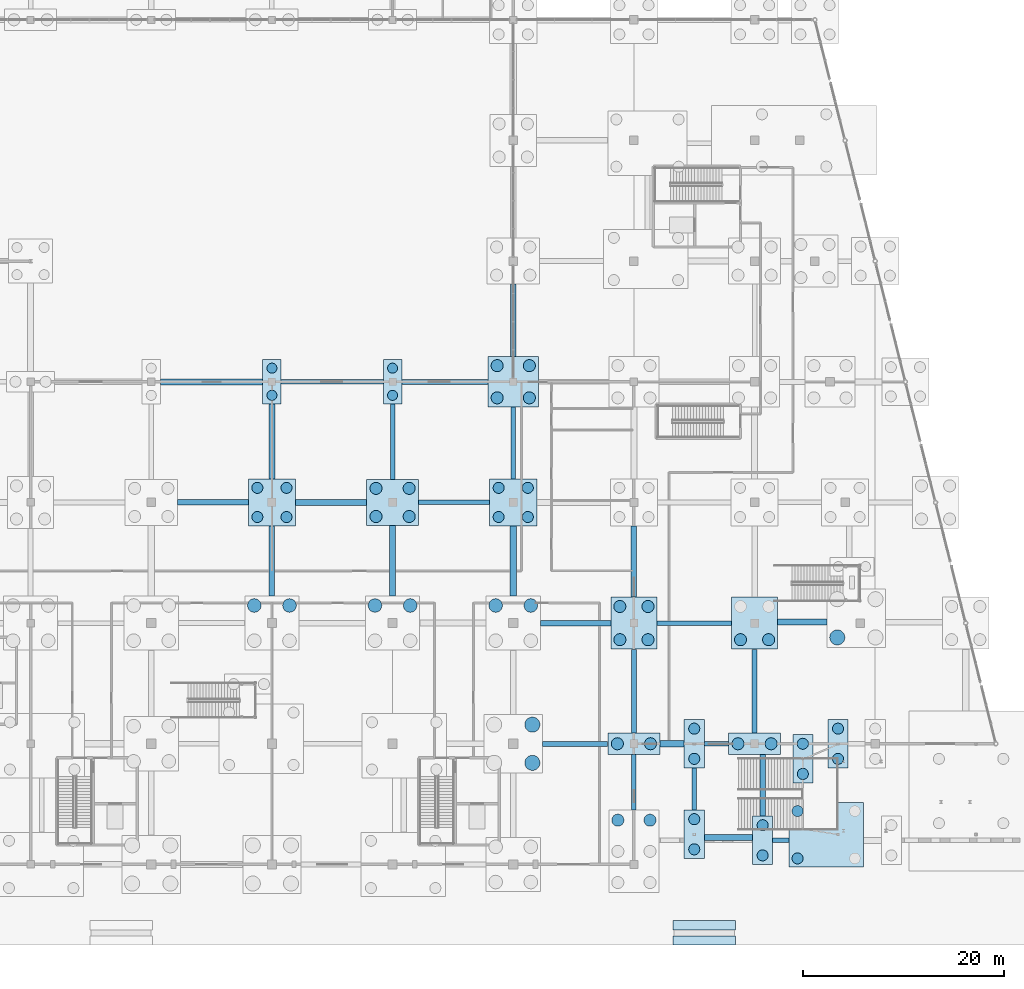
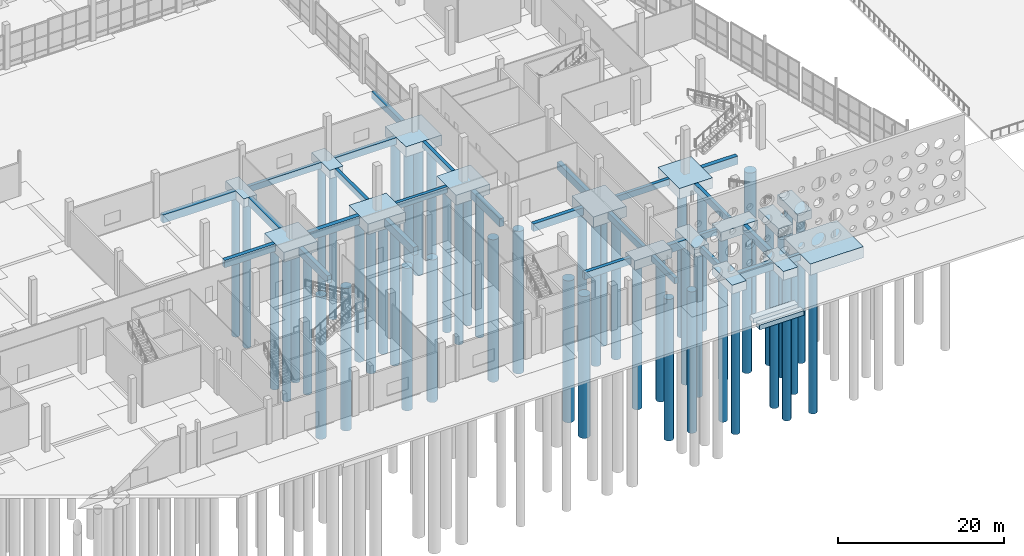
# One storey, part 8 of 117: 53 piles, 45 footings.
"""IFC4 building model written with IfcOpenShell, lengths in metres."""

from ifc_helpers import new_model, si_unit, direction, frame, origin, origin_2d, place, context, subcontext, project, spatial, rectangle, circle, extrude, material, material_profile, profile_set, type_object, element, save


model = new_model("IFC4")

# Units and contexts
model_context = context("Model", 3, precision=1e-05, world=origin(), true_north=direction((0.0, 1.0)))
body_context = subcontext(model_context, "Body", "Model", "MODEL_VIEW")
ifc_project = project(units=[si_unit("LENGTHUNIT", "METRE"), si_unit("AREAUNIT", "SQUARE_METRE"), si_unit("VOLUMEUNIT", "CUBIC_METRE"), si_unit("PLANEANGLEUNIT", "RADIAN"), si_unit("MASSUNIT", "GRAM", prefix="KILO")], contexts=[model_context])

# Site, building, storey
site_placement = place(None, origin())
site = spatial("IfcSite", under=ifc_project, at=site_placement, CompositionType="ELEMENT")
building_placement = place(site_placement, origin())
building = spatial("IfcBuilding", under=site, at=building_placement, Name="Kamomehara Wholesale Market", CompositionType="ELEMENT")
storey_placement = place(building_placement, origin())
storey = spatial("IfcBuildingStorey", under=building, at=storey_placement, Name="L00", CompositionType="ELEMENT", Elevation=0.0)

# Footings
ifc_material_1 = material(Name="Concrete Fc30 (C30/37)", Category="concrete")
footing_type_1 = type_object("IfcFootingType", Name="CAP-2PX-5200", PredefinedType="PILE_CAP", material=ifc_material_1)
for number, where, z_axis, x_axis, name in (
    (1, (168.0, 24.0, -1.35009765625), (0.0, 0.0, 1.0), (1.0, 0.0, 0.0), "Pile cap PC-08"),
    (2, (180.0, 24.0, -1.35009765625), (0.0, 0.0, 1.0), (1.0, 0.0, 0.0), "Pile cap PC-08"),
):
    element("IfcFooting", number, at=place(storey_placement, frame(where, z_axis=z_axis, x_axis=x_axis)), inside=storey, type_object=footing_type_1, Name=name, PredefinedType="PILE_CAP", context=body_context, shape_type="SweptSolid", body=[
        extrude(rectangle(XDim=5.199951171875, YDim=2.14990234375, at=origin_2d()), origin(), (0.0, 0.0, 1.0), 1.35009765625),
    ])
ifc_material_2 = material(Name="Concrete Fc30 (C30/37)", Category="concrete")
footing_type_2 = type_object("IfcFootingType", Name="CAP-2PY-4400", PredefinedType="PILE_CAP", material=ifc_material_2)
for number, where, z_axis, x_axis, name in (
    (3, (132.0, 60.0, -1.25), (0.0, 0.0, 1.0), (1.0, 0.0, 0.0), "Pile cap PC-05"),
    (4, (144.0, 60.0, -1.25), (0.0, 0.0, 1.0), (1.0, 0.0, 0.0), "Pile cap PC-05"),
):
    element("IfcFooting", number, at=place(storey_placement, frame(where, z_axis=z_axis, x_axis=x_axis)), inside=storey, type_object=footing_type_2, Name=name, PredefinedType="PILE_CAP", context=body_context, shape_type="SweptSolid", body=[
        extrude(rectangle(XDim=1.85009765625, YDim=4.39990234375, at=origin_2d()), origin(), (0.0, 0.0, 1.0), 1.25),
    ])
ifc_material_3 = material(Name="Concrete Fc30 (C30/37)", Category="concrete")
footing_type_3 = type_object("IfcFootingType", Name="CAP-2PY-4800", PredefinedType="PILE_CAP", material=ifc_material_3)
for number, where, z_axis, x_axis, name in (
    (5, (174.0, 15.0, -1.2998046875), (0.0, 0.0, 1.0), (1.0, 0.0, 0.0), "Pile cap PC-07"),
    (6, (174.0, 24.0, -1.2998046875), (0.0, 0.0, 1.0), (1.0, 0.0, 0.0), "Pile cap PC-07"),
    (7, (184.800048828125, 22.5, -1.2998046875), (0.0, 0.0, 1.0), (1.0, 0.0, 0.0), "Pile cap PC-07"),
    (8, (188.300048828125, 24.0, -1.2998046875), (0.0, 0.0, 1.0), (1.0, 0.0, 0.0), "Pile cap PC-07"),
    (9, (180.800048828125, 14.39990234375, -1.2998046875), (0.0, 0.0, 1.0), (1.0, 0.0, 0.0), "Pile cap PC-07"),
):
    element("IfcFooting", number, at=place(storey_placement, frame(where, z_axis=z_axis, x_axis=x_axis)), inside=storey, type_object=footing_type_3, Name=name, PredefinedType="PILE_CAP", context=body_context, shape_type="SweptSolid", body=[
        extrude(rectangle(XDim=2.0, YDim=4.800048828125, at=origin_2d()), origin(), (0.0, 0.0, 1.0), 1.300048828125),
    ])
ifc_material_4 = material(Name="Concrete Fc30 (C30/37)", Category="concrete")
footing_type_4 = type_object("IfcFootingType", Name="CAP-4P-4700", PredefinedType="PILE_CAP", material=ifc_material_4)
for number, where, z_axis, x_axis, name in (
    (10, (132.0, 48.0, -1.4501953125), (0.0, 0.0, 1.0), (1.0, 0.0, 0.0), "Pile cap PC-11"),
    (11, (156.0, 48.0, -1.4501953125), (0.0, 0.0, 1.0), (1.0, 0.0, 0.0), "Pile cap PC-11"),
):
    element("IfcFooting", number, at=place(storey_placement, frame(where, z_axis=z_axis, x_axis=x_axis)), inside=storey, type_object=footing_type_4, Name=name, PredefinedType="PILE_CAP", context=body_context, shape_type="SweptSolid", body=[
        extrude(rectangle(XDim=4.699951171875, YDim=4.699951171875, at=origin_2d()), origin(), (0.0, 0.0, 1.0), 1.449951171875),
    ])
ifc_material_5 = material(Name="Concrete Fc30 (C30/37)", Category="concrete")
footing_type_5 = type_object("IfcFootingType", Name="CAP-4P-5000", PredefinedType="PILE_CAP", material=ifc_material_5)
footing_1_placement = place(storey_placement, frame((156.0, 60.0, -1.5), z_axis=(0.0, 0.0, 1.0), x_axis=(1.0, 0.0, 0.0)))
element("IfcFooting", 12, at=footing_1_placement, inside=storey, type_object=footing_type_5, Name="Pile cap PC-12", PredefinedType="PILE_CAP", context=body_context, shape_type="SweptSolid", body=[
    extrude(rectangle(XDim=5.0, YDim=5.0, at=origin_2d()), origin(), (0.0, 0.0, 1.0), 1.5),
])
ifc_material_6 = material(Name="Concrete Fc30 (C30/37)", Category="concrete")
footing_type_6 = type_object("IfcFootingType", Name="CAP-4PR-4600", PredefinedType="PILE_CAP", material=ifc_material_6)
for number, where, z_axis, x_axis, name in (
    (13, (168.0, 36.0, -1.5498046875), (0.0, 0.0, 1.0), (1.0, 0.0, 0.0), "Pile cap PC-16"),
    (14, (180.0, 36.0, -1.5498046875), (0.0, 0.0, 1.0), (1.0, 0.0, 0.0), "Pile cap PC-16"),
):
    element("IfcFooting", number, at=place(storey_placement, frame(where, z_axis=z_axis, x_axis=x_axis)), inside=storey, type_object=footing_type_6, Name=name, PredefinedType="PILE_CAP", context=body_context, shape_type="SweptSolid", body=[
        extrude(rectangle(XDim=4.60009765625, YDim=5.199951171875, at=origin_2d()), origin(), (0.0, 0.0, 1.0), 1.550048828125),
    ])
ifc_material_7 = material(Name="Concrete Fc30 (C30/37)", Category="concrete")
footing_type_7 = type_object("IfcFootingType", Name="CAP-4PR-5200", PredefinedType="PILE_CAP", material=ifc_material_7)
footing_2_placement = place(storey_placement, frame((144.0, 48.0, -1.5498046875), z_axis=(0.0, 0.0, 1.0), x_axis=(1.0, 0.0, 0.0)))
element("IfcFooting", 15, at=footing_2_placement, inside=storey, type_object=footing_type_7, Name="Pile cap PC-15", PredefinedType="PILE_CAP", context=body_context, shape_type="SweptSolid", body=[
    extrude(rectangle(XDim=5.199951171875, YDim=4.60009765625, at=origin_2d()), origin(), (0.0, 0.0, 1.0), 1.550048828125),
])
ifc_material_8 = material(Name="Concrete Fc30 (C30/37)", Category="concrete")
footing_type_8 = type_object("IfcFootingType", Name="CAP-CMB-740x640", PredefinedType="PILE_CAP", material=ifc_material_8)
footing_3_placement = place(storey_placement, frame((187.125, 14.949951171875, -1.64990234375), z_axis=(0.0, 0.0, 1.0), x_axis=(1.0, 0.0, 0.0)))
element("IfcFooting", 16, at=footing_3_placement, inside=storey, type_object=footing_type_8, Name="Pile cap PCC-74x64", PredefinedType="PILE_CAP", context=body_context, shape_type="SweptSolid", body=[
    extrude(rectangle(XDim=7.39990234375, YDim=6.39990234375, at=origin_2d()), origin(), (0.0, 0.0, 1.0), 1.64990234375),
])
ifc_material_9 = material(Name="Concrete Fc30 (C30/37)", Category="concrete")
ifc_material_profile_1 = material_profile(ifc_material_9, rectangle(XDim=0.449951171875, YDim=0.89990234375, at=origin_2d()), Name="RC-FTB-450x900")
ifc_profile_set_1 = profile_set([ifc_material_profile_1], Name="Concrete Fc30 (C30/37)")
footing_type_9 = type_object("IfcFootingType", Name="FTB-450x900", PredefinedType="FOOTING_BEAM", material=ifc_profile_set_1)
footing_4_placement = place(storey_placement, frame((132.927001953125, 60.0, -0.449951171875), z_axis=(1.0, 0.0, 0.0), x_axis=(0.0, 1.0, 0.0)))
element("IfcFooting", 17, at=footing_4_placement, inside=storey, type_object=footing_type_9, Name="Foundation tie beam 135", PredefinedType="FOOTING_BEAM", context=body_context, shape_type="SweptSolid", body=[
    extrude(rectangle(XDim=0.449951171875, YDim=0.89990234375, at=origin_2d()), origin(), (0.0, 0.0, 1.0), 10.14599609375),
])
footing_5_placement = place(storey_placement, frame((146.60205078125, 48.0, -0.449951171875), z_axis=(1.0, 0.0, 0.0), x_axis=(0.0, 1.0, 0.0)))
element("IfcFooting", 18, at=footing_5_placement, inside=storey, type_object=footing_type_9, Name="Foundation tie beam 147", PredefinedType="FOOTING_BEAM", context=body_context, shape_type="SweptSolid", body=[
    extrude(rectangle(XDim=0.449951171875, YDim=0.89990234375, at=origin_2d()), origin(), (0.0, 0.0, 1.0), 7.0458984375),
])
footing_6_placement = place(storey_placement, frame((170.302001953125, 36.0, -0.449951171875), z_axis=(1.0, 0.0, 0.0), x_axis=(0.0, 1.0, 0.0)))
element("IfcFooting", 19, at=footing_6_placement, inside=storey, type_object=footing_type_9, Name="Foundation tie beam 171", PredefinedType="FOOTING_BEAM", context=body_context, shape_type="SweptSolid", body=[
    extrude(rectangle(XDim=0.449951171875, YDim=0.89990234375, at=origin_2d()), origin(), (0.0, 0.0, 1.0), 7.39599609375),
])
footing_7_placement = place(storey_placement, frame((175.001953125, 24.0, -0.449951171875), z_axis=(1.0, 0.0, 0.0), x_axis=(0.0, 1.0, 0.0)))
element("IfcFooting", 20, at=footing_7_placement, inside=storey, type_object=footing_type_9, Name="Foundation tie beam 183", PredefinedType="FOOTING_BEAM", context=body_context, shape_type="SweptSolid", body=[
    extrude(rectangle(XDim=0.449951171875, YDim=0.89990234375, at=origin_2d()), origin(), (0.0, 0.0, 1.0), 2.39599609375),
])
footing_8_placement = place(storey_placement, frame((181.802001953125, 14.39990234375, -0.449951171875), z_axis=(1.0, 0.0, 0.0), x_axis=(0.0, 1.0, 0.0)))
element("IfcFooting", 21, at=footing_8_placement, inside=storey, type_object=footing_type_9, Name="Foundation tie beam 203", PredefinedType="FOOTING_BEAM", context=body_context, shape_type="SweptSolid", body=[
    extrude(rectangle(XDim=0.449951171875, YDim=0.89990234375, at=origin_2d()), origin(), (0.0, 0.0, 1.0), 1.62109375),
])
footing_9_placement = place(storey_placement, frame((144.0, 50.302001953125, -0.449951171875), z_axis=(0.0, 1.0, 0.0), x_axis=(-1.0, 0.0, 0.0)))
element("IfcFooting", 22, at=footing_9_placement, inside=storey, type_object=footing_type_9, Name="Foundation tie beam 311", PredefinedType="FOOTING_BEAM", context=body_context, shape_type="SweptSolid", body=[
    extrude(rectangle(XDim=0.449951171875, YDim=0.89990234375, at=origin_2d()), origin(), (0.0, 0.0, 1.0), 7.49609375),
])
footing_10_placement = place(storey_placement, frame((156.0, 50.35205078125, -0.449951171875), z_axis=(0.0, 1.0, 0.0), x_axis=(-1.0, 0.0, 0.0)))
element("IfcFooting", 23, at=footing_10_placement, inside=storey, type_object=footing_type_9, Name="Foundation tie beam 319", PredefinedType="FOOTING_BEAM", context=body_context, shape_type="SweptSolid", body=[
    extrude(rectangle(XDim=0.449951171875, YDim=0.89990234375, at=origin_2d()), origin(), (0.0, 0.0, 1.0), 7.14599609375),
])
footing_11_placement = place(storey_placement, frame((168.0, 17.402099609375, -0.449951171875), z_axis=(0.0, 1.0, 0.0), x_axis=(-1.0, 0.0, 0.0)))
element("IfcFooting", 24, at=footing_11_placement, inside=storey, type_object=footing_type_9, Name="Foundation tie beam 327", PredefinedType="FOOTING_BEAM", context=body_context, shape_type="SweptSolid", body=[
    extrude(rectangle(XDim=0.449951171875, YDim=0.89990234375, at=origin_2d()), origin(), (0.0, 0.0, 1.0), 5.52099609375),
])
footing_12_placement = place(storey_placement, frame((174.0, 17.402099609375, -0.449951171875), z_axis=(0.0, 1.0, 0.0), x_axis=(-1.0, 0.0, 0.0)))
element("IfcFooting", 25, at=footing_12_placement, inside=storey, type_object=footing_type_9, Name="Foundation tie beam 335", PredefinedType="FOOTING_BEAM", context=body_context, shape_type="SweptSolid", body=[
    extrude(rectangle(XDim=0.449951171875, YDim=0.89990234375, at=origin_2d()), origin(), (0.0, 0.0, 1.0), 4.19580078125),
])
ifc_material_10 = material(Name="Concrete Fc30 (C30/37)", Category="concrete")
ifc_material_profile_2 = material_profile(ifc_material_10, rectangle(XDim=0.5, YDim=1.0, at=origin_2d()), Name="RC-FTB-500x1000")
ifc_profile_set_2 = profile_set([ifc_material_profile_2], Name="Concrete Fc30 (C30/37)")
footing_type_10 = type_object("IfcFootingType", Name="FTB-500x1000", PredefinedType="FOOTING_BEAM", material=ifc_profile_set_2)
footing_13_placement = place(storey_placement, frame((144.927001953125, 60.0, -0.5), z_axis=(1.0, 0.0, 0.0), x_axis=(0.0, 1.0, 0.0)))
element("IfcFooting", 26, at=footing_13_placement, inside=storey, type_object=footing_type_10, Name="Foundation tie beam 148", PredefinedType="FOOTING_BEAM", context=body_context, shape_type="SweptSolid", body=[
    extrude(rectangle(XDim=0.5, YDim=1.0, at=origin_2d()), origin(), (0.0, 0.0, 1.0), 8.571044921875),
])
footing_14_placement = place(storey_placement, frame((158.902099609375, 24.0, -0.5), z_axis=(1.0, 0.0, 0.0), x_axis=(0.0, 1.0, 0.0)))
element("IfcFooting", 27, at=footing_14_placement, inside=storey, type_object=footing_type_10, Name="Foundation tie beam 156", PredefinedType="FOOTING_BEAM", context=body_context, shape_type="SweptSolid", body=[
    extrude(rectangle(XDim=0.5, YDim=1.0, at=origin_2d()), origin(), (0.0, 0.0, 1.0), 6.495849609375),
])
footing_15_placement = place(storey_placement, frame((156.0, 62.501953125, -0.5), z_axis=(0.0, 1.0, 0.0), x_axis=(-1.0, 0.0, 0.0)))
element("IfcFooting", 28, at=footing_15_placement, inside=storey, type_object=footing_type_10, Name="Foundation tie beam 320", PredefinedType="FOOTING_BEAM", context=body_context, shape_type="SweptSolid", body=[
    extrude(rectangle(XDim=0.5, YDim=1.0, at=origin_2d()), origin(), (0.0, 0.0, 1.0), 7.196044921875),
])
for number, where, z_axis, x_axis, name in (
    (29, (168.0, 25.076904296875, -0.5), (0.0, 1.0, 0.0), (-1.0, 0.0, 0.0), "Foundation tie beam 328"),
    (30, (180.0, 25.076904296875, -0.5), (0.0, 1.0, 0.0), (-1.0, 0.0, 0.0), "Foundation tie beam 336"),
):
    element("IfcFooting", number, at=place(storey_placement, frame(where, z_axis=z_axis, x_axis=x_axis)), inside=storey, type_object=footing_type_10, Name=name, PredefinedType="FOOTING_BEAM", context=body_context, shape_type="SweptSolid", body=[
        extrude(rectangle(XDim=0.5, YDim=1.0, at=origin_2d()), origin(), (0.0, 0.0, 1.0), 8.321044921875),
    ])
ifc_material_11 = material(Name="Concrete Fc30 (C30/37)", Category="concrete")
ifc_material_profile_3 = material_profile(ifc_material_11, rectangle(XDim=0.550048828125, YDim=1.10009765625, at=origin_2d()), Name="RC-FTB-550x1100")
ifc_profile_set_3 = profile_set([ifc_material_profile_3], Name="Concrete Fc30 (C30/37)")
footing_type_11 = type_object("IfcFootingType", Name="FTB-550x1100", PredefinedType="FOOTING_BEAM", material=ifc_profile_set_3)
footing_16_placement = place(storey_placement, frame((122.60205078125, 48.0, -0.550048828125), z_axis=(1.0, 0.0, 0.0), x_axis=(0.0, 1.0, 0.0)))
element("IfcFooting", 31, at=footing_16_placement, inside=storey, type_object=footing_type_11, Name="Foundation tie beam 121", PredefinedType="FOOTING_BEAM", context=body_context, shape_type="SweptSolid", body=[
    extrude(rectangle(XDim=0.550048828125, YDim=1.10009765625, at=origin_2d()), origin(), (0.0, 0.0, 1.0), 7.0458984375),
])
footing_17_placement = place(storey_placement, frame((158.701904296875, 36.0, -0.550048828125), z_axis=(1.0, 0.0, 0.0), x_axis=(0.0, 1.0, 0.0)))
element("IfcFooting", 32, at=footing_17_placement, inside=storey, type_object=footing_type_11, Name="Foundation tie beam 157", PredefinedType="FOOTING_BEAM", context=body_context, shape_type="SweptSolid", body=[
    extrude(rectangle(XDim=0.550048828125, YDim=1.10009765625, at=origin_2d()), origin(), (0.0, 0.0, 1.0), 6.99609375),
])
footing_18_placement = place(storey_placement, frame((132.0, 38.701904296875, -0.550048828125), z_axis=(0.0, 1.0, 0.0), x_axis=(-1.0, 0.0, 0.0)))
element("IfcFooting", 33, at=footing_18_placement, inside=storey, type_object=footing_type_11, Name="Foundation tie beam 301", PredefinedType="FOOTING_BEAM", context=body_context, shape_type="SweptSolid", body=[
    extrude(rectangle(XDim=0.550048828125, YDim=1.10009765625, at=origin_2d()), origin(), (0.0, 0.0, 1.0), 6.946044921875),
])
footing_19_placement = place(storey_placement, frame((168.0, 38.60205078125, -0.550048828125), z_axis=(0.0, 1.0, 0.0), x_axis=(-1.0, 0.0, 0.0)))
element("IfcFooting", 34, at=footing_19_placement, inside=storey, type_object=footing_type_11, Name="Foundation tie beam 329", PredefinedType="FOOTING_BEAM", context=body_context, shape_type="SweptSolid", body=[
    extrude(rectangle(XDim=0.550048828125, YDim=1.10009765625, at=origin_2d()), origin(), (0.0, 0.0, 1.0), 7.0458984375),
])
footing_20_placement = place(storey_placement, frame((180.800048828125, 16.802001953125, -0.550048828125), z_axis=(0.0, 1.0, 0.0), x_axis=(-1.0, 0.0, 0.0)))
element("IfcFooting", 35, at=footing_20_placement, inside=storey, type_object=footing_type_11, Name="Foundation tie beam 349", PredefinedType="FOOTING_BEAM", context=body_context, shape_type="SweptSolid", body=[
    extrude(rectangle(XDim=0.550048828125, YDim=1.10009765625, at=origin_2d()), origin(), (0.0, 0.0, 1.0), 6.12109375),
])
ifc_material_12 = material(Name="Concrete Fc30 (C30/37)", Category="concrete")
ifc_material_profile_4 = material_profile(ifc_material_12, rectangle(XDim=0.60009765625, YDim=1.199951171875, at=origin_2d()), Name="RC-FTB-600x1200")
ifc_profile_set_4 = profile_set([ifc_material_profile_4], Name="Concrete Fc30 (C30/37)")
footing_type_12 = type_object("IfcFootingType", Name="FTB-600x1200", PredefinedType="FOOTING_BEAM", material=ifc_profile_set_4)
footing_21_placement = place(storey_placement, frame((120.927001953125, 60.0, -0.60009765625), z_axis=(1.0, 0.0, 0.0), x_axis=(0.0, 1.0, 0.0)))
element("IfcFooting", 36, at=footing_21_placement, inside=storey, type_object=footing_type_12, Name="Foundation tie beam 122", PredefinedType="FOOTING_BEAM", context=body_context, shape_type="SweptSolid", body=[
    extrude(rectangle(XDim=0.60009765625, YDim=1.199951171875, at=origin_2d()), origin(), (0.0, 0.0, 1.0), 10.14599609375),
])
footing_22_placement = place(storey_placement, frame((134.35205078125, 48.0, -0.60009765625), z_axis=(1.0, 0.0, 0.0), x_axis=(0.0, 1.0, 0.0)))
element("IfcFooting", 37, at=footing_22_placement, inside=storey, type_object=footing_type_12, Name="Foundation tie beam 134", PredefinedType="FOOTING_BEAM", context=body_context, shape_type="SweptSolid", body=[
    extrude(rectangle(XDim=0.60009765625, YDim=1.199951171875, at=origin_2d()), origin(), (0.0, 0.0, 1.0), 7.0458984375),
])
footing_23_placement = place(storey_placement, frame((170.60205078125, 24.0, -0.60009765625), z_axis=(1.0, 0.0, 0.0), x_axis=(0.0, 1.0, 0.0)))
element("IfcFooting", 38, at=footing_23_placement, inside=storey, type_object=footing_type_12, Name="Foundation tie beam 170", PredefinedType="FOOTING_BEAM", context=body_context, shape_type="SweptSolid", body=[
    extrude(rectangle(XDim=0.60009765625, YDim=1.199951171875, at=origin_2d()), origin(), (0.0, 0.0, 1.0), 2.39599609375),
])
footing_24_placement = place(storey_placement, frame((175.001953125, 14.699951171875, -0.60009765625), z_axis=(1.0, 0.0, 0.0), x_axis=(0.0, 1.0, 0.0)))
element("IfcFooting", 39, at=footing_24_placement, inside=storey, type_object=footing_type_12, Name="Foundation tie beam 182", PredefinedType="FOOTING_BEAM", context=body_context, shape_type="SweptSolid", body=[
    extrude(rectangle(XDim=0.60009765625, YDim=1.199951171875, at=origin_2d()), origin(), (0.0, 0.0, 1.0), 4.796142578125),
])
footing_25_placement = place(storey_placement, frame((182.302001953125, 36.087890625, -0.60009765625), z_axis=(1.0, 0.0, 0.0), x_axis=(0.0, 1.0, 0.0)))
element("IfcFooting", 40, at=footing_25_placement, inside=storey, type_object=footing_type_12, Name="Foundation tie beam 186", PredefinedType="FOOTING_BEAM", context=body_context, shape_type="SweptSolid", body=[
    extrude(rectangle(XDim=0.60009765625, YDim=1.199951171875, at=origin_2d()), origin(), (0.0, 0.0, 1.0), 4.9189453125),
])
footing_26_placement = place(storey_placement, frame((132.0, 50.35205078125, -0.60009765625), z_axis=(0.0, 1.0, 0.0), x_axis=(-1.0, 0.0, 0.0)))
element("IfcFooting", 41, at=footing_26_placement, inside=storey, type_object=footing_type_12, Name="Foundation tie beam 302", PredefinedType="FOOTING_BEAM", context=body_context, shape_type="SweptSolid", body=[
    extrude(rectangle(XDim=0.60009765625, YDim=1.199951171875, at=origin_2d()), origin(), (0.0, 0.0, 1.0), 7.446044921875),
])
footing_27_placement = place(storey_placement, frame((144.0, 38.701904296875, -0.60009765625), z_axis=(0.0, 1.0, 0.0), x_axis=(-1.0, 0.0, 0.0)))
element("IfcFooting", 42, at=footing_27_placement, inside=storey, type_object=footing_type_12, Name="Foundation tie beam 310", PredefinedType="FOOTING_BEAM", context=body_context, shape_type="SweptSolid", body=[
    extrude(rectangle(XDim=0.60009765625, YDim=1.199951171875, at=origin_2d()), origin(), (0.0, 0.0, 1.0), 6.99609375),
])
footing_28_placement = place(storey_placement, frame((156.0, 38.701904296875, -0.60009765625), z_axis=(0.0, 1.0, 0.0), x_axis=(-1.0, 0.0, 0.0)))
element("IfcFooting", 43, at=footing_28_placement, inside=storey, type_object=footing_type_12, Name="Foundation tie beam 318", PredefinedType="FOOTING_BEAM", context=body_context, shape_type="SweptSolid", body=[
    extrude(rectangle(XDim=0.60009765625, YDim=1.199951171875, at=origin_2d()), origin(), (0.0, 0.0, 1.0), 6.946044921875),
])
ifc_material_13 = material(Name="Concrete Fc30 (C30/37)", Category="concrete")
footing_type_13 = type_object("IfcFootingType", Name="PAD-RMP-1800", PredefinedType="PAD_FOOTING", material=ifc_material_13)
for number, where, z_axis, x_axis, name in (
    (44, (175.0, 4.449951171875, -0.9599609375), (0.0, 0.0, 1.0), (1.0, 0.0, 0.0), "Ramp toe footing PR-03.1"),
    (45, (175.0, 5.949951171875, -0.89990234375), (0.0, 0.0, 1.0), (1.0, 0.0, 0.0), "Ramp toe footing PR-03.2"),
):
    element("IfcFooting", number, at=place(storey_placement, frame(where, z_axis=z_axis, x_axis=x_axis)), inside=storey, type_object=footing_type_13, Name=name, PredefinedType="PAD_FOOTING", context=body_context, shape_type="SweptSolid", body=[
        extrude(rectangle(XDim=6.199951171875, YDim=0.89990234375, at=origin_2d()), origin(), (0.0, 0.0, 1.0), 0.699951171875),
    ])

# Piles
ifc_material_14 = material(Name="Concrete Fc30 (C30/37)", Category="concrete")
ifc_material_profile_5 = material_profile(ifc_material_14, circle(Radius=0.5, at=origin_2d()), Name="RC-PILE-D1000")
ifc_profile_set_5 = profile_set([ifc_material_profile_5], Name="Concrete Fc30 (C30/37)")
pile_type_1 = type_object("IfcPileType", Name="PILE-D1000", PredefinedType="BORED", material=ifc_profile_set_5)
for number, where, z_axis, x_axis, name in (
    (46, (132.0, 58.64990234375, -1.14990234375), (0.0, 0.0, -1.0), (1.0, 0.0, 0.0), "Bored pile 150.430"),
    (47, (132.0, 61.35009765625, -1.14990234375), (0.0, 0.0, -1.0), (1.0, 0.0, 0.0), "Bored pile 150.431"),
    (48, (144.0, 58.64990234375, -1.14990234375), (0.0, 0.0, -1.0), (1.0, 0.0, 0.0), "Bored pile 165.465"),
    (49, (144.0, 61.35009765625, -1.14990234375), (0.0, 0.0, -1.0), (1.0, 0.0, 0.0), "Bored pile 165.466"),
):
    element("IfcPile", number, at=place(storey_placement, frame(where, z_axis=z_axis, x_axis=x_axis)), inside=storey, type_object=pile_type_1, Name=name, PredefinedType="BORED", context=body_context, shape_type="SweptSolid", body=[
        extrude(circle(Radius=0.5, at=origin_2d()), origin(), (0.0, 0.0, 1.0), 21.35009765625),
    ])
ifc_material_15 = material(Name="Concrete Fc30 (C30/37)", Category="concrete")
ifc_material_profile_6 = material_profile(ifc_material_15, circle(Radius=0.550048828125, at=origin_2d()), Name="RC-PILE-D1100")
ifc_profile_set_6 = profile_set([ifc_material_profile_6], Name="Concrete Fc30 (C30/37)")
pile_type_2 = type_object("IfcPileType", Name="PILE-D1100", PredefinedType="BORED", material=ifc_profile_set_6)
for number, where, z_axis, x_axis, name in (
    (50, (130.550048828125, 46.550048828125, -1.35009765625), (0.0, 0.0, -1.0), (1.0, 0.0, 0.0), "Bored pile 149.426"),
    (51, (133.449951171875, 46.550048828125, -1.35009765625), (0.0, 0.0, -1.0), (1.0, 0.0, 0.0), "Bored pile 149.427"),
    (52, (130.550048828125, 49.449951171875, -1.35009765625), (0.0, 0.0, -1.0), (1.0, 0.0, 0.0), "Bored pile 149.428"),
    (53, (133.449951171875, 49.449951171875, -1.35009765625), (0.0, 0.0, -1.0), (1.0, 0.0, 0.0), "Bored pile 149.429"),
    (54, (154.550048828125, 46.550048828125, -1.35009765625), (0.0, 0.0, -1.0), (1.0, 0.0, 0.0), "Bored pile 177.496"),
    (55, (157.449951171875, 46.550048828125, -1.35009765625), (0.0, 0.0, -1.0), (1.0, 0.0, 0.0), "Bored pile 177.497"),
    (56, (154.550048828125, 49.449951171875, -1.35009765625), (0.0, 0.0, -1.0), (1.0, 0.0, 0.0), "Bored pile 177.498"),
    (57, (157.449951171875, 49.449951171875, -1.35009765625), (0.0, 0.0, -1.0), (1.0, 0.0, 0.0), "Bored pile 177.499"),
):
    element("IfcPile", number, at=place(storey_placement, frame(where, z_axis=z_axis, x_axis=x_axis)), inside=storey, type_object=pile_type_2, Name=name, PredefinedType="BORED", context=body_context, shape_type="SweptSolid", body=[
        extrude(circle(Radius=0.550048828125, at=origin_2d()), origin(), (0.0, 0.0, 1.0), 21.14990234375),
    ])
for number, where, z_axis, x_axis, name in (
    (58, (174.0, 13.5, -1.199951171875), (0.0, 0.0, -1.0), (1.0, 0.0, 0.0), "Bored pile 202.587"),
    (59, (174.0, 16.5, -1.199951171875), (0.0, 0.0, -1.0), (1.0, 0.0, 0.0), "Bored pile 202.588"),
    (60, (174.0, 22.5, -1.199951171875), (0.0, 0.0, -1.0), (1.0, 0.0, 0.0), "Bored pile 203.589"),
    (61, (174.0, 25.5, -1.199951171875), (0.0, 0.0, -1.0), (1.0, 0.0, 0.0), "Bored pile 203.590"),
):
    element("IfcPile", number, at=place(storey_placement, frame(where, z_axis=z_axis, x_axis=x_axis)), inside=storey, type_object=pile_type_2, Name=name, PredefinedType="BORED", context=body_context, shape_type="SweptSolid", body=[
        extrude(circle(Radius=0.550048828125, at=origin_2d()), origin(), (0.0, 0.0, 1.0), 21.300048828125),
    ])
for number, where, z_axis, x_axis, name in (
    (62, (184.27490234375, 12.60009765625, -1.550048828125), (0.0, 0.0, -1.0), (1.0, 0.0, 0.0), "Bored pile 220.626"),
    (63, (184.27490234375, 17.300048828125, -1.550048828125), (0.0, 0.0, -1.0), (1.0, 0.0, 0.0), "Bored pile 220.628"),
):
    element("IfcPile", number, at=place(storey_placement, frame(where, z_axis=z_axis, x_axis=x_axis)), inside=storey, type_object=pile_type_2, Name=name, PredefinedType="BORED", context=body_context, shape_type="SweptSolid", body=[
        extrude(circle(Radius=0.550048828125, at=origin_2d()), origin(), (0.0, 0.0, 1.0), 20.949951171875),
    ])
for number, where, z_axis, x_axis, name in (
    (64, (184.800048828125, 21.0, -1.199951171875), (0.0, 0.0, -1.0), (1.0, 0.0, 0.0), "Bored pile 221.630"),
    (65, (184.800048828125, 24.0, -1.199951171875), (0.0, 0.0, -1.0), (1.0, 0.0, 0.0), "Bored pile 221.631"),
    (66, (188.300048828125, 22.5, -1.199951171875), (0.0, 0.0, -1.0), (1.0, 0.0, 0.0), "Bored pile 229.648"),
    (67, (188.300048828125, 25.5, -1.199951171875), (0.0, 0.0, -1.0), (1.0, 0.0, 0.0), "Bored pile 229.649"),
    (68, (180.800048828125, 12.89990234375, -1.199951171875), (0.0, 0.0, -1.0), (1.0, 0.0, 0.0), "Bored pile 257.700"),
    (69, (180.800048828125, 15.89990234375, -1.199951171875), (0.0, 0.0, -1.0), (1.0, 0.0, 0.0), "Bored pile 257.701"),
):
    element("IfcPile", number, at=place(storey_placement, frame(where, z_axis=z_axis, x_axis=x_axis)), inside=storey, type_object=pile_type_2, Name=name, PredefinedType="BORED", context=body_context, shape_type="SweptSolid", body=[
        extrude(circle(Radius=0.550048828125, at=origin_2d()), origin(), (0.0, 0.0, 1.0), 21.300048828125),
    ])
ifc_material_16 = material(Name="Concrete Fc30 (C30/37)", Category="concrete")
ifc_material_profile_7 = material_profile(ifc_material_16, circle(Radius=0.60009765625, at=origin_2d()), Name="RC-PILE-D1200")
ifc_profile_set_7 = profile_set([ifc_material_profile_7], Name="Concrete Fc30 (C30/37)")
pile_type_3 = type_object("IfcPileType", Name="PILE-D1200", PredefinedType="BORED", material=ifc_profile_set_7)
for number, where, z_axis, x_axis, name in (
    (70, (142.35009765625, 46.60009765625, -1.449951171875), (0.0, 0.0, -1.0), (1.0, 0.0, 0.0), "Bored pile 164.461"),
    (71, (145.64990234375, 46.60009765625, -1.449951171875), (0.0, 0.0, -1.0), (1.0, 0.0, 0.0), "Bored pile 164.462"),
    (72, (142.35009765625, 49.39990234375, -1.449951171875), (0.0, 0.0, -1.0), (1.0, 0.0, 0.0), "Bored pile 164.463"),
    (73, (145.64990234375, 49.39990234375, -1.449951171875), (0.0, 0.0, -1.0), (1.0, 0.0, 0.0), "Bored pile 164.464"),
):
    element("IfcPile", number, at=place(storey_placement, frame(where, z_axis=z_axis, x_axis=x_axis)), inside=storey, type_object=pile_type_3, Name=name, PredefinedType="BORED", context=body_context, shape_type="SweptSolid", body=[
        extrude(circle(Radius=0.60009765625, at=origin_2d()), origin(), (0.0, 0.0, 1.0), 21.050048828125),
    ])
for number, where, z_axis, x_axis, name in (
    (74, (154.39990234375, 58.39990234375, -1.39990234375), (0.0, 0.0, -1.0), (1.0, 0.0, 0.0), "Bored pile 178.500"),
    (75, (157.60009765625, 58.39990234375, -1.39990234375), (0.0, 0.0, -1.0), (1.0, 0.0, 0.0), "Bored pile 178.501"),
    (76, (154.39990234375, 61.60009765625, -1.39990234375), (0.0, 0.0, -1.0), (1.0, 0.0, 0.0), "Bored pile 178.502"),
    (77, (157.60009765625, 61.60009765625, -1.39990234375), (0.0, 0.0, -1.0), (1.0, 0.0, 0.0), "Bored pile 178.503"),
):
    element("IfcPile", number, at=place(storey_placement, frame(where, z_axis=z_axis, x_axis=x_axis)), inside=storey, type_object=pile_type_3, Name=name, PredefinedType="BORED", context=body_context, shape_type="SweptSolid", body=[
        extrude(circle(Radius=0.60009765625, at=origin_2d()), origin(), (0.0, 0.0, 1.0), 21.10009765625),
    ])
for number, where, z_axis, x_axis, name in (
    (78, (166.39990234375, 16.39990234375, -1.64990234375), (0.0, 0.0, -1.0), (1.0, 0.0, 0.0), "Bored pile 189.538"),
    (79, (169.60009765625, 16.39990234375, -1.64990234375), (0.0, 0.0, -1.0), (1.0, 0.0, 0.0), "Bored pile 189.541"),
):
    element("IfcPile", number, at=place(storey_placement, frame(where, z_axis=z_axis, x_axis=x_axis)), inside=storey, type_object=pile_type_3, Name=name, PredefinedType="BORED", context=body_context, shape_type="SweptSolid", body=[
        extrude(circle(Radius=0.60009765625, at=origin_2d()), origin(), (0.0, 0.0, 1.0), 20.85009765625),
    ])
for number, where, z_axis, x_axis, name in (
    (80, (166.35009765625, 24.0, -1.25), (0.0, 0.0, -1.0), (1.0, 0.0, 0.0), "Bored pile 190.542"),
    (81, (169.64990234375, 24.0, -1.25), (0.0, 0.0, -1.0), (1.0, 0.0, 0.0), "Bored pile 190.543"),
):
    element("IfcPile", number, at=place(storey_placement, frame(where, z_axis=z_axis, x_axis=x_axis)), inside=storey, type_object=pile_type_3, Name=name, PredefinedType="BORED", context=body_context, shape_type="SweptSolid", body=[
        extrude(circle(Radius=0.60009765625, at=origin_2d()), origin(), (0.0, 0.0, 1.0), 21.25),
    ])
for number, where, z_axis, x_axis, name in (
    (82, (166.60009765625, 34.35009765625, -1.449951171875), (0.0, 0.0, -1.0), (1.0, 0.0, 0.0), "Bored pile 191.544"),
    (83, (169.39990234375, 34.35009765625, -1.449951171875), (0.0, 0.0, -1.0), (1.0, 0.0, 0.0), "Bored pile 191.545"),
    (84, (166.60009765625, 37.64990234375, -1.449951171875), (0.0, 0.0, -1.0), (1.0, 0.0, 0.0), "Bored pile 191.546"),
    (85, (169.39990234375, 37.64990234375, -1.449951171875), (0.0, 0.0, -1.0), (1.0, 0.0, 0.0), "Bored pile 191.547"),
):
    element("IfcPile", number, at=place(storey_placement, frame(where, z_axis=z_axis, x_axis=x_axis)), inside=storey, type_object=pile_type_3, Name=name, PredefinedType="BORED", context=body_context, shape_type="SweptSolid", body=[
        extrude(circle(Radius=0.60009765625, at=origin_2d()), origin(), (0.0, 0.0, 1.0), 21.050048828125),
    ])
for number, where, z_axis, x_axis, name in (
    (86, (178.35009765625, 24.0, -1.25), (0.0, 0.0, -1.0), (1.0, 0.0, 0.0), "Bored pile 206.593"),
    (87, (181.64990234375, 24.0, -1.25), (0.0, 0.0, -1.0), (1.0, 0.0, 0.0), "Bored pile 206.594"),
):
    element("IfcPile", number, at=place(storey_placement, frame(where, z_axis=z_axis, x_axis=x_axis)), inside=storey, type_object=pile_type_3, Name=name, PredefinedType="BORED", context=body_context, shape_type="SweptSolid", body=[
        extrude(circle(Radius=0.60009765625, at=origin_2d()), origin(), (0.0, 0.0, 1.0), 21.25),
    ])
for number, where, z_axis, x_axis, name in (
    (88, (178.60009765625, 34.35009765625, -1.449951171875), (0.0, 0.0, -1.0), (1.0, 0.0, 0.0), "Bored pile 207.595"),
    (89, (181.39990234375, 34.35009765625, -1.449951171875), (0.0, 0.0, -1.0), (1.0, 0.0, 0.0), "Bored pile 207.596"),
):
    element("IfcPile", number, at=place(storey_placement, frame(where, z_axis=z_axis, x_axis=x_axis)), inside=storey, type_object=pile_type_3, Name=name, PredefinedType="BORED", context=body_context, shape_type="SweptSolid", body=[
        extrude(circle(Radius=0.60009765625, at=origin_2d()), origin(), (0.0, 0.0, 1.0), 21.050048828125),
    ])
ifc_material_17 = material(Name="Concrete Fc30 (C30/37)", Category="concrete")
ifc_material_profile_8 = material_profile(ifc_material_17, circle(Radius=0.675048828125, at=origin_2d()), Name="RC-PILE-D1350")
ifc_profile_set_8 = profile_set([ifc_material_profile_8], Name="Concrete Fc30 (C30/37)")
pile_type_4 = type_object("IfcPileType", Name="PILE-D1350", PredefinedType="BORED", material=ifc_profile_set_8)
for number, where, z_axis, x_axis, name in (
    (90, (130.25, 37.75, -1.5), (0.0, 0.0, -1.0), (1.0, 0.0, 0.0), "Bored pile 148.424"),
    (91, (133.75, 37.75, -1.5), (0.0, 0.0, -1.0), (1.0, 0.0, 0.0), "Bored pile 148.425"),
    (92, (142.25, 37.75, -1.5), (0.0, 0.0, -1.0), (1.0, 0.0, 0.0), "Bored pile 163.459"),
    (93, (145.75, 37.75, -1.5), (0.0, 0.0, -1.0), (1.0, 0.0, 0.0), "Bored pile 163.460"),
    (94, (154.25, 37.75, -1.5), (0.0, 0.0, -1.0), (1.0, 0.0, 0.0), "Bored pile 176.494"),
    (95, (157.75, 37.75, -1.5), (0.0, 0.0, -1.0), (1.0, 0.0, 0.0), "Bored pile 176.495"),
):
    element("IfcPile", number, at=place(storey_placement, frame(where, z_axis=z_axis, x_axis=x_axis)), inside=storey, type_object=pile_type_4, Name=name, PredefinedType="BORED", context=body_context, shape_type="SweptSolid", body=[
        extrude(circle(Radius=0.675048828125, at=origin_2d()), origin(), (0.0, 0.0, 1.0), 21.0),
    ])
ifc_material_18 = material(Name="Concrete Fc30 (C30/37)", Category="concrete")
ifc_material_profile_9 = material_profile(ifc_material_18, circle(Radius=0.75, at=origin_2d()), Name="RC-PILE-D1500")
ifc_profile_set_9 = profile_set([ifc_material_profile_9], Name="Concrete Fc30 (C30/37)")
pile_type_5 = type_object("IfcPileType", Name="PILE-D1500", PredefinedType="BORED", material=ifc_profile_set_9)
for number, where, z_axis, x_axis, name in (
    (96, (157.89990234375, 22.10009765625, -1.60009765625), (0.0, 0.0, -1.0), (1.0, 0.0, 0.0), "Bored pile 175.489"),
    (97, (157.89990234375, 25.89990234375, -1.60009765625), (0.0, 0.0, -1.0), (1.0, 0.0, 0.0), "Bored pile 175.491"),
    (98, (188.222900390625, 34.574951171875, -1.60009765625), (0.0, 0.0, -1.0), (1.0, 0.0, 0.0), "Bored pile 231.654"),
):
    element("IfcPile", number, at=place(storey_placement, frame(where, z_axis=z_axis, x_axis=x_axis)), inside=storey, type_object=pile_type_5, Name=name, PredefinedType="BORED", context=body_context, shape_type="SweptSolid", body=[
        extrude(circle(Radius=0.75, at=origin_2d()), origin(), (0.0, 0.0, 1.0), 20.89990234375),
    ])

save(model, "model.ifc")
